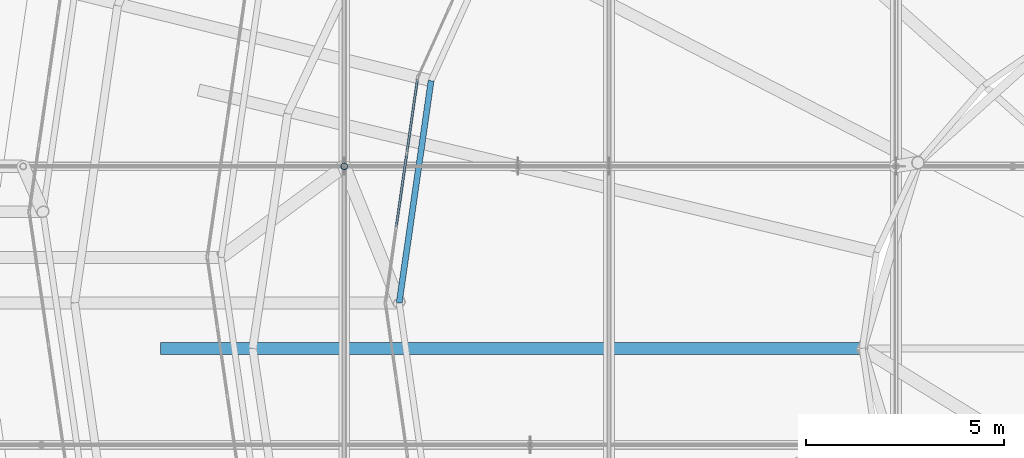
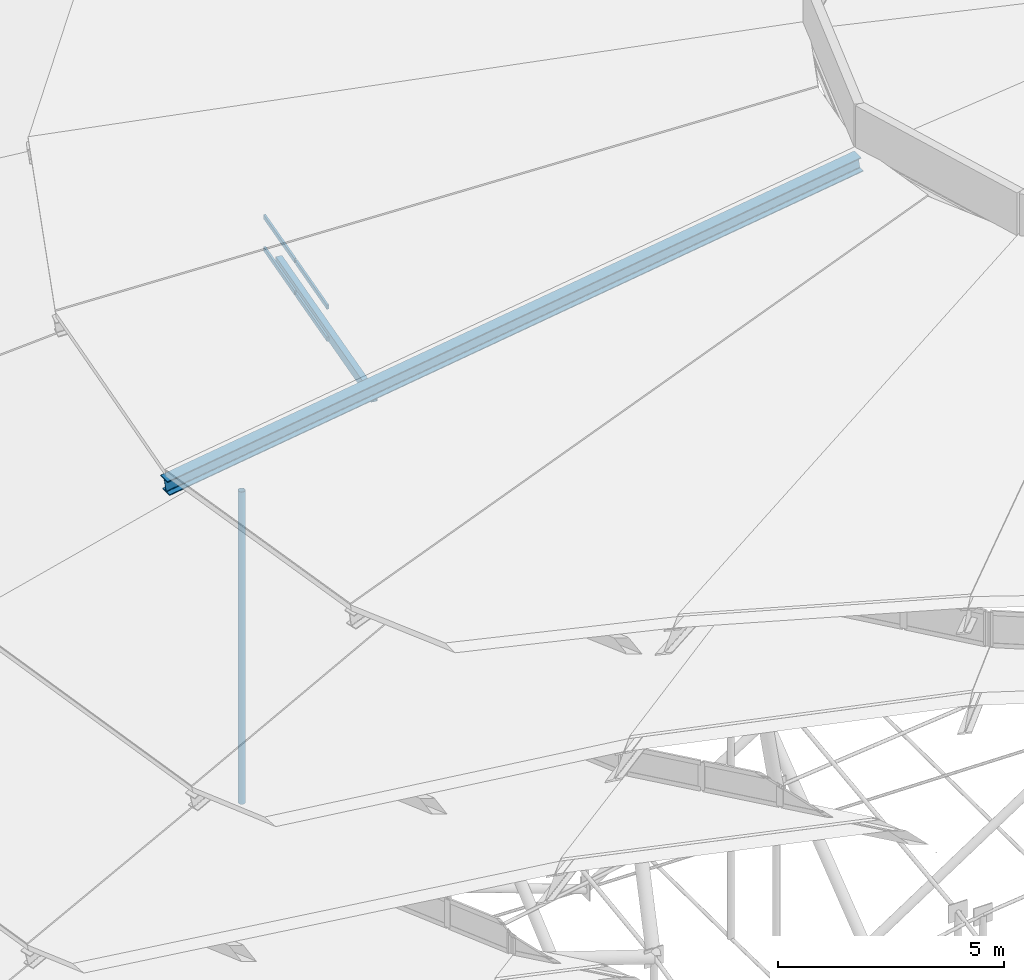
# One storey, part 39 of 173: 7 members, 1 element without a shape of its own.
"""IFC4 building model written with IfcOpenShell, lengths in metres."""

from ifc_helpers import new_model, si_unit, direction, frame, origin, origin_2d, place, context, subcontext, project, spatial, rectangle, hollow_rectangle, hollow_circle, i_section, extrude, material, material_profile, profile_set, type_object, element, aggregate, save


model = new_model("IFC4")

# Units and contexts
model_context = context("Model", 3, precision=1e-05, world=origin(), true_north=direction((0.0, 1.0)))
body_context = subcontext(model_context, "Body", "Model", "MODEL_VIEW")
ifc_project = project(units=[si_unit("LENGTHUNIT", "METRE"), si_unit("AREAUNIT", "SQUARE_METRE"), si_unit("VOLUMEUNIT", "CUBIC_METRE"), si_unit("PLANEANGLEUNIT", "RADIAN"), si_unit("MASSUNIT", "GRAM", prefix="KILO")], contexts=[model_context])

# Site, building, storey
site_placement = place(None, origin())
site = spatial("IfcSite", under=ifc_project, at=site_placement, CompositionType="ELEMENT")
building_placement = place(site_placement, origin())
building = spatial("IfcBuilding", under=site, at=building_placement, Name="Glasvene Arena", CompositionType="ELEMENT")
storey_placement = place(building_placement, frame((0.0, 0.0, 28.800048828125)))
storey = spatial("IfcBuildingStorey", under=building, at=storey_placement, Name="RF", CompositionType="ELEMENT", Elevation=28.800048828125)

# Curtain wall, members
ifc_material_1 = material(Name="Low-emissivity laminated double glazing", Category="glass")
curtain_wall_type = type_object("IfcCurtainWallType", Name="CW-PET4-575x92", PredefinedType="USERDEFINED", material=ifc_material_1)
curtain_wall_placement = place(storey_placement, frame((64.4677734375, 75.243896484375, 0.0)))
curtain_wall = element("IfcCurtainWall", 1, at=curtain_wall_placement, inside=storey, type_object=curtain_wall_type, Name="Petal ring 4-5 clerestory curtain wall 12", ObjectType="CURTAIN WALL", PredefinedType="USERDEFINED")
ifc_material_2 = material(Name="Anodised architectural aluminium", Category="aluminium")
ifc_material_profile_1 = material_profile(ifc_material_2, rectangle(XDim=0.050048828125, YDim=0.1201171875, at=origin_2d()), Name="ALU TRANSOM 50x120")
ifc_profile_set_1 = profile_set([ifc_material_profile_1], Name="Anodised architectural aluminium")
member_type_1 = type_object("IfcMemberType", Name="CW-TRN-120", PredefinedType="USERDEFINED", material=ifc_profile_set_1)
member_1_placement = place(storey_placement, frame((64.460693359375, 75.194580078125, 10.554931640625), z_axis=(-0.14218191486, -0.989840544273, 0.0), x_axis=(0.989840544273, -0.14218191486, 0.0)))
member_1 = element("IfcMember", 2, at=member_1_placement, type_object=member_type_1, Name="CW-099 transom 1.1", ObjectType="TRANSOM", PredefinedType="USERDEFINED", context=body_context, shape_type="SweptSolid", body=[
    extrude(rectangle(XDim=0.050048828125, YDim=0.1201171875, at=origin_2d()), origin(), (0.0, 0.0, 1.0), 1.842529296875),
])
member_2_placement = place(storey_placement, frame((64.460693359375, 75.194580078125, 11.4208984375), z_axis=(-0.14218191486, -0.989840544273, 0.0), x_axis=(0.989840544273, -0.14218191486, 0.0)))
member_2 = element("IfcMember", 3, at=member_2_placement, type_object=member_type_1, Name="CW-099 transom 1.2", ObjectType="TRANSOM", PredefinedType="USERDEFINED", context=body_context, shape_type="SweptSolid", body=[
    extrude(rectangle(XDim=0.050048828125, YDim=0.1201171875, at=origin_2d()), origin(), (0.0, 0.0, 1.0), 1.842529296875),
])
member_3_placement = place(storey_placement, frame((64.191650390625, 73.3212890625, 10.554931640625), z_axis=(-0.142098480585, -0.989852525286, 0.0), x_axis=(0.989852525286, -0.142098480585, 0.0)))
member_3 = element("IfcMember", 4, at=member_3_placement, type_object=member_type_1, Name="CW-099 transom 2.1", ObjectType="TRANSOM", PredefinedType="USERDEFINED", context=body_context, shape_type="SweptSolid", body=[
    extrude(rectangle(XDim=0.050048828125, YDim=0.1201171875, at=origin_2d()), origin(), (0.0, 0.0, 1.0), 1.86767578125),
])
member_4_placement = place(storey_placement, frame((64.191650390625, 73.3212890625, 11.4208984375), z_axis=(-0.142098480585, -0.989852525286, 0.0), x_axis=(0.989852525286, -0.142098480585, 0.0)))
member_4 = element("IfcMember", 5, at=member_4_placement, type_object=member_type_1, Name="CW-099 transom 2.2", ObjectType="TRANSOM", PredefinedType="USERDEFINED", context=body_context, shape_type="SweptSolid", body=[
    extrude(rectangle(XDim=0.050048828125, YDim=0.1201171875, at=origin_2d()), origin(), (0.0, 0.0, 1.0), 1.86767578125),
])
aggregate(curtain_wall, [member_1, member_2, member_3, member_4])

# Members
ifc_material_3 = material(Name="Steel S355J2", Category="steel")
ifc_material_profile_2 = material_profile(ifc_material_3, i_section(OverallWidth=0.300048828125, OverallDepth=0.39990234375, WebThickness=0.013427734375, FlangeThickness=0.02392578125, FilletRadius=0.027099609375, at=origin_2d()), Name="HEB 400")
ifc_profile_set_2 = profile_set([ifc_material_profile_2], Name="Steel S355J2")
member_type_2 = type_object("IfcMemberType", Name="MB-CHORD-HEB400", PredefinedType="CHORD", material=ifc_profile_set_2)
member_5_placement = place(storey_placement, frame((58.0, 68.39990234375, 10.550048828125), z_axis=(0.989782523577, 0.0, 0.142585258779), x_axis=(0.0, 1.0, 0.0)))
element("IfcMember", 6, at=member_5_placement, inside=storey, type_object=member_type_2, Name="Petal ring 5 radial rib 13", PredefinedType="CHORD", context=body_context, shape_type="SweptSolid", body=[
    extrude(i_section(OverallWidth=0.300048828125, OverallDepth=0.39990234375, WebThickness=0.013427734375, FlangeThickness=0.02392578125, FilletRadius=0.027099609375, at=origin_2d()), origin(), (0.0, 0.0, 1.0), 17.882568359375),
])
ifc_material_profile_3 = material_profile(ifc_material_3, hollow_rectangle(XDim=0.14990234375, YDim=0.25, WallThickness=0.010009765625, at=origin_2d()), Name="RHS 250x150x10.0")
ifc_profile_set_3 = profile_set([ifc_material_profile_3], Name="Steel S355J2")
member_type_3 = type_object("IfcMemberType", Name="MB-PURLIN-RHS250", PredefinedType="PURLIN", material=ifc_profile_set_3)
member_6_placement = place(storey_placement, frame((64.805908203125, 75.16015625, 10.1318359375), z_axis=(-0.142193231666, -0.989838918647, 0.0), x_axis=(0.989838918647, -0.142193231666, 0.0)))
element("IfcMember", 7, at=member_6_placement, inside=storey, type_object=member_type_3, Name="Petal ring 4 ridge purlin 12", PredefinedType="PURLIN", context=body_context, shape_type="SweptSolid", body=[
    extrude(hollow_rectangle(XDim=0.14990234375, YDim=0.25, WallThickness=0.010009765625, at=origin_2d()), origin(), (0.0, 0.0, 1.0), 5.667724609375),
])
ifc_material_profile_4 = material_profile(ifc_material_3, hollow_circle(Radius=0.084228515625, WallThickness=0.008056640625, at=origin_2d()), Name="CHS 168.3x8.0")
ifc_profile_set_4 = profile_set([ifc_material_profile_4], Name="Steel S355J2")
member_type_4 = type_object("IfcMemberType", Name="MB-WEB-CHS168", PredefinedType="BRACE", material=ifc_profile_set_4)
member_7_placement = place(storey_placement, frame((62.610595703125, 73.0, -2.400146484375), z_axis=(0.0, 0.0, 1.0), x_axis=(1.0, 0.0, 0.0)))
element("IfcMember", 8, at=member_7_placement, inside=storey, type_object=member_type_4, Name="Cable-truss vertical strut NS09-04", PredefinedType="BRACE", context=body_context, shape_type="SweptSolid", body=[
    extrude(hollow_circle(Radius=0.084228515625, WallThickness=0.008056640625, at=origin_2d()), origin(), (0.0, 0.0, 1.0), 8.420166015625),
])

save(model, "model.ifc")
